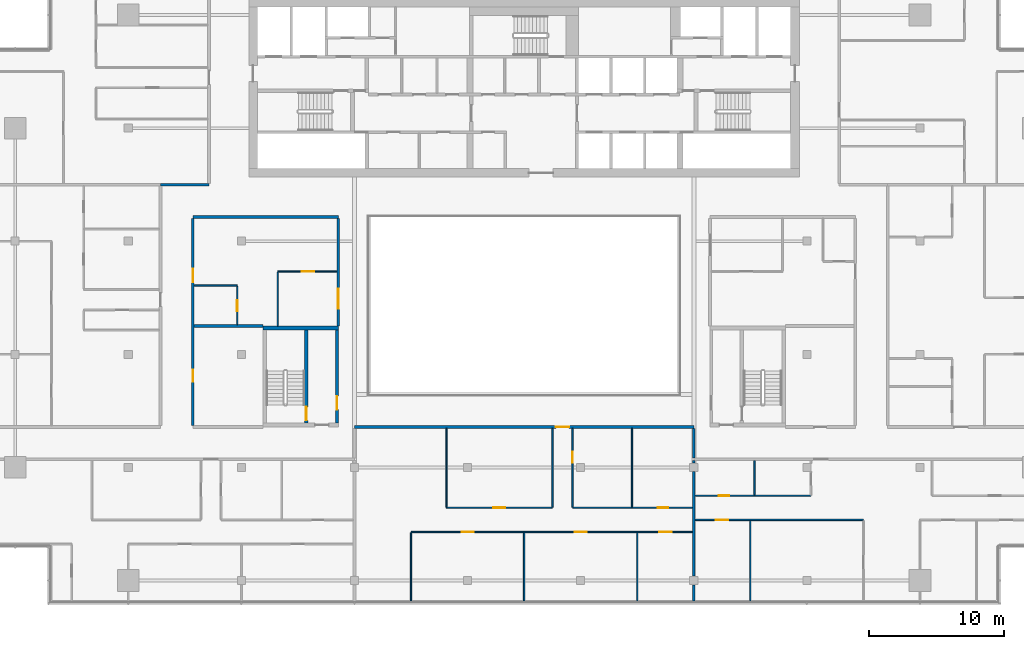
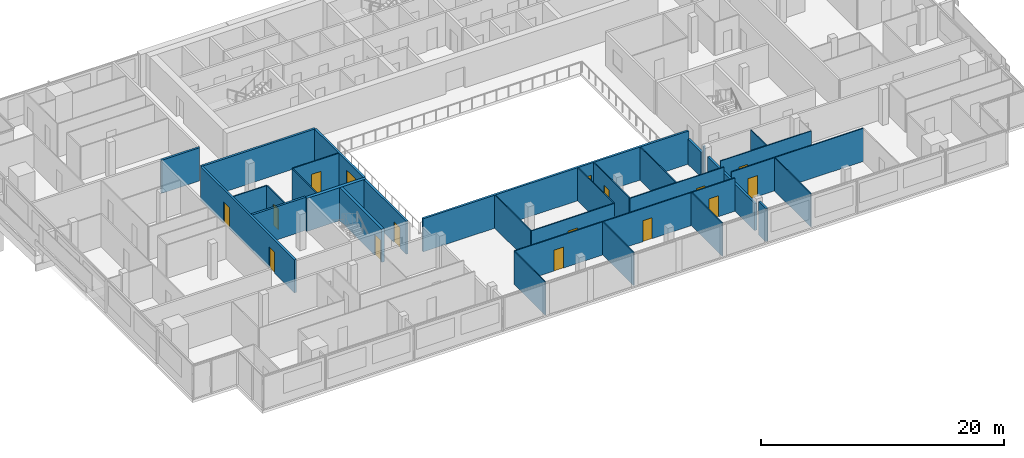
# One storey, part 17 of 28: 31 walls, 15 doors, 1 window, 16 openings.
"""IFC4 building model written with IfcOpenShell, lengths in metres."""

from ifc_helpers import new_model, si_unit, direction, frame, frame_2d, origin, place, context, subcontext, project, spatial, rectangle, extrude, material, layer, layer_set, type_object, element, fill, save


model = new_model("IFC4")

# Units and contexts
model_context = context("Model", 3, precision=1e-05, world=origin(), true_north=direction((0.0, 1.0)))
body_context = subcontext(model_context, "Body", "Model", "MODEL_VIEW")
ifc_project = project(units=[si_unit("LENGTHUNIT", "METRE"), si_unit("AREAUNIT", "SQUARE_METRE"), si_unit("VOLUMEUNIT", "CUBIC_METRE"), si_unit("PLANEANGLEUNIT", "RADIAN"), si_unit("MASSUNIT", "GRAM", prefix="KILO")], contexts=[model_context])

# Site, building, storey
site_placement = place(None, origin())
site = spatial("IfcSite", under=ifc_project, at=site_placement, CompositionType="ELEMENT")
building_placement = place(site_placement, origin())
building = spatial("IfcBuilding", under=site, at=building_placement, Name="Saffron Gate Tower", CompositionType="ELEMENT")
storey_placement = place(building_placement, frame((0.0, 0.0, 241.5)))
storey = spatial("IfcBuildingStorey", under=building, at=storey_placement, Name="L59", CompositionType="ELEMENT", Elevation=241.5)

# Wall, opening, door
ifc_material_1 = material(Name="Gypsum board partition on steel studs", Category="steel")
ifc_layer_1 = layer(ifc_material_1, 0.199951171875)
ifc_layer_set_1 = layer_set([ifc_layer_1], Name="CW10 Core partition 200")
wall_type_1 = type_object("IfcWallType", Name="CW10 Core partition 200", PredefinedType="PARTITIONING", material=ifc_layer_set_1)
wall_1_placement = place(storey_placement, frame((73.699951171875, 43.5, 0.0), z_axis=(0.0, 0.0, 1.0), x_axis=(0.0, 1.0, 0.0)))
wall_1 = element("IfcWall", 1, at=wall_1_placement, inside=storey, type_object=wall_type_1, Name="Wall CW10-L59-D-4", PredefinedType="PARTITIONING", context=body_context, shape_type="SweptSolid", body=[
    extrude(rectangle(XDim=6.89990234375, YDim=0.199951171875, at=frame_2d((3.449951171875, 0.0))), origin(), (0.0, 0.0, 1.0), 3.320068359375),
])
opening_1_placement = place(wall_1_placement, frame((1.0, 0.0, 0.0)))
opening_1 = element("IfcOpeningElement", 2, at=opening_1_placement, cuts=wall_1, Name="Opening CR-19", PredefinedType="OPENING", context=body_context, shape_type="SweptSolid", body=[
    extrude(rectangle(XDim=1.0, YDim=2.10009765625, at=frame_2d((0.5, 1.050048828125))), frame((0.0, 0.10986328125, 0.0), z_axis=(0.0, -1.0, 0.0), x_axis=(1.0, 0.0, 0.0)), (0.0, 0.0, 1.0), 0.219970703125),
])
ifc_material_2 = material(Name="Steel fire door set", Category="steel")
door_type_1 = type_object("IfcDoorType", Name="CD4 Lobby door 1000x2100 EI 120", OperationType="NOTDEFINED", PredefinedType="DOOR", material=ifc_material_2)
door_1_placement = place(opening_1_placement, origin())
door_1 = element("IfcDoor", 3, at=door_1_placement, inside=storey, type_object=door_type_1, Name="DOOR CR-19", OperationType="SINGLE_SWING_RIGHT", OverallHeight=2.10009765625, OverallWidth=1.0, PredefinedType="DOOR", context=body_context, shape_type="SweptSolid", body=[
    extrude(rectangle(XDim=1.0, YDim=2.10009765625, at=frame_2d((0.5, 1.050048828125))), frame((0.0, 0.02490234375, 0.0), z_axis=(0.0, -1.0, 0.0), x_axis=(1.0, 0.0, 0.0)), (0.0, 0.0, 1.0), 0.050048828125),
])
fill(opening_1, door_1)

ifc_material_3 = material(Name="Concrete C60", Category="concrete")
ifc_layer_2 = layer(ifc_material_3, 0.25)
ifc_layer_set_2 = layer_set([ifc_layer_2], Name="CW14 RC core wall 250 C60")
wall_type_2 = type_object("IfcWallType", Name="CW14 RC core wall 250 C60", PredefinedType="SOLIDWALL", material=ifc_layer_set_2)
wall_2_placement = place(storey_placement, frame((71.425048828125, 43.5, 0.0), z_axis=(0.0, 0.0, 1.0), x_axis=(0.0, 1.0, 0.0)))
wall_2 = element("IfcWall", 4, at=wall_2_placement, inside=storey, type_object=wall_type_2, Name="Wall CW14-L59-D-3", PredefinedType="SOLIDWALL", context=body_context, shape_type="SweptSolid", body=[
    extrude(rectangle(XDim=6.89990234375, YDim=0.25, at=frame_2d((3.449951171875, 0.0))), origin(), (0.0, 0.0, 1.0), 3.320068359375),
])
opening_2_placement = place(wall_2_placement, frame((0.199951171875, 0.0, 0.0)))
opening_2 = element("IfcOpeningElement", 5, at=opening_2_placement, cuts=wall_2, Name="Opening CR-20", PredefinedType="OPENING", context=body_context, shape_type="SweptSolid", body=[
    extrude(rectangle(XDim=1.0, YDim=2.10009765625, at=frame_2d((0.5, 1.050048828125))), frame((0.0, 0.135009765625, 0.0), z_axis=(0.0, -1.0, 0.0), x_axis=(1.0, 0.0, 0.0)), (0.0, 0.0, 1.0), 0.27001953125),
])
door_type_2 = type_object("IfcDoorType", Name="CD5 Stair door 1000x2100 EI 120", OperationType="NOTDEFINED", PredefinedType="DOOR", material=ifc_material_2)
door_2_placement = place(opening_2_placement, origin())
door_2 = element("IfcDoor", 6, at=door_2_placement, inside=storey, type_object=door_type_2, Name="DOOR CR-20", OperationType="SINGLE_SWING_LEFT", OverallHeight=2.10009765625, OverallWidth=1.0, PredefinedType="DOOR", context=body_context, shape_type="SweptSolid", body=[
    extrude(rectangle(XDim=1.0, YDim=2.10009765625, at=frame_2d((0.5, 1.050048828125))), frame((0.0, 0.02490234375, 0.0), z_axis=(0.0, -1.0, 0.0), x_axis=(1.0, 0.0, 0.0)), (0.0, 0.0, 1.0), 0.050048828125),
])
fill(opening_2, door_2)

# Wall
ifc_layer_3 = layer(ifc_material_3, 0.300048828125)
ifc_layer_set_3 = layer_set([ifc_layer_3], Name="CW17 RC core wall 300 C60")
wall_type_3 = type_object("IfcWallType", Name="CW17 RC core wall 300 C60", PredefinedType="SOLIDWALL", material=ifc_layer_set_3)
wall_3_placement = place(storey_placement, frame((68.199951171875, 50.550048828125, 0.0), z_axis=(0.0, 0.0, 1.0), x_axis=(1.0, 0.0, 0.0)))
element("IfcWall", 7, at=wall_3_placement, inside=storey, type_object=wall_type_3, Name="Wall CW17-L59-D-5", PredefinedType="SOLIDWALL", context=body_context, shape_type="SweptSolid", body=[
    extrude(rectangle(XDim=5.60009765625, YDim=0.300048828125, at=frame_2d((2.800048828125, 0.0))), origin(), (0.0, 0.0, 1.0), 3.320068359375),
])

# Wall, openings, doors
ifc_material_4 = material(Name="Plasterboard on steel studs", Category="steel")
ifc_layer_4 = layer(ifc_material_4, 0.10009765625)
ifc_layer_set_4 = layer_set([ifc_layer_4], Name="PW1 Partition 100")
wall_type_4 = type_object("IfcWallType", Name="PW1 Partition 100", PredefinedType="PARTITIONING", material=ifc_layer_set_4)
wall_4_placement = place(storey_placement, frame((100.10009765625, 35.39990234375, 0.0), z_axis=(0.0, 0.0, 1.0), x_axis=(-1.0, 0.0, 0.0)))
wall_4 = element("IfcWall", 8, at=wall_4_placement, inside=storey, type_object=wall_type_4, Name="Partition D4-3", PredefinedType="PARTITIONING", context=body_context, shape_type="SweptSolid", body=[
    extrude(rectangle(XDim=20.900146484375, YDim=0.10009765625, at=frame_2d((10.4501953125, 0.0))), origin(), (0.0, 0.0, 1.0), 3.320068359375),
])
opening_3_placement = place(wall_4_placement, frame((1.550048828125, 0.0, 0.0)))
opening_3 = element("IfcOpeningElement", 9, at=opening_3_placement, cuts=wall_4, Name="Opening D4-16", PredefinedType="OPENING", context=body_context, shape_type="SweptSolid", body=[
    extrude(rectangle(XDim=0.89990234375, YDim=2.10009765625, at=frame_2d((0.449951171875, 1.050048828125))), frame((0.0, 0.06005859375, 0.0), z_axis=(0.0, -1.0, 0.0), x_axis=(1.0, 0.0, 0.0)), (0.0, 0.0, 1.0), 0.1201171875),
])
opening_4_placement = place(wall_4_placement, frame((7.85009765625, 0.0, 0.0)))
opening_4 = element("IfcOpeningElement", 10, at=opening_4_placement, cuts=wall_4, Name="Opening D4-15", PredefinedType="OPENING", context=body_context, shape_type="SweptSolid", body=[
    extrude(rectangle(XDim=0.89990234375, YDim=2.10009765625, at=frame_2d((0.449951171875, 1.050048828125))), frame((0.0, 0.06005859375, 0.0), z_axis=(0.0, -1.0, 0.0), x_axis=(1.0, 0.0, 0.0)), (0.0, 0.0, 1.0), 0.1201171875),
])
opening_5_placement = place(wall_4_placement, frame((16.25, 0.0, 0.0)))
opening_5 = element("IfcOpeningElement", 11, at=opening_5_placement, cuts=wall_4, Name="Opening D4-14", PredefinedType="OPENING", context=body_context, shape_type="SweptSolid", body=[
    extrude(rectangle(XDim=0.89990234375, YDim=2.10009765625, at=frame_2d((0.449951171875, 1.050048828125))), frame((0.0, 0.06005859375, 0.0), z_axis=(0.0, -1.0, 0.0), x_axis=(1.0, 0.0, 0.0)), (0.0, 0.0, 1.0), 0.1201171875),
])
ifc_material_5 = material(Name="Timber door set", Category="wood")
door_type_3 = type_object("IfcDoorType", Name="RD1 Room door 900x2100", OperationType="NOTDEFINED", PredefinedType="DOOR", material=ifc_material_5)
door_3_placement = place(opening_3_placement, origin())
door_3 = element("IfcDoor", 12, at=door_3_placement, inside=storey, type_object=door_type_3, Name="Door D4-16", OperationType="SINGLE_SWING_LEFT", OverallHeight=2.10009765625, OverallWidth=0.89990234375, PredefinedType="DOOR", context=body_context, shape_type="SweptSolid", body=[
    extrude(rectangle(XDim=0.89990234375, YDim=2.10009765625, at=frame_2d((0.449951171875, 1.050048828125))), frame((0.0, 0.02490234375, 0.0), z_axis=(0.0, -1.0, 0.0), x_axis=(1.0, 0.0, 0.0)), (0.0, 0.0, 1.0), 0.050048828125),
])
fill(opening_3, door_3)
door_4_placement = place(opening_4_placement, origin())
door_4 = element("IfcDoor", 13, at=door_4_placement, inside=storey, type_object=door_type_3, Name="Door D4-15", OperationType="SINGLE_SWING_RIGHT", OverallHeight=2.10009765625, OverallWidth=0.89990234375, PredefinedType="DOOR", context=body_context, shape_type="SweptSolid", body=[
    extrude(rectangle(XDim=0.89990234375, YDim=2.10009765625, at=frame_2d((0.449951171875, 1.050048828125))), frame((0.0, 0.02490234375, 0.0), z_axis=(0.0, -1.0, 0.0), x_axis=(1.0, 0.0, 0.0)), (0.0, 0.0, 1.0), 0.050048828125),
])
fill(opening_4, door_4)
door_5_placement = place(opening_5_placement, origin())
door_5 = element("IfcDoor", 14, at=door_5_placement, inside=storey, type_object=door_type_3, Name="Door D4-14", OperationType="SINGLE_SWING_LEFT", OverallHeight=2.10009765625, OverallWidth=0.89990234375, PredefinedType="DOOR", context=body_context, shape_type="SweptSolid", body=[
    extrude(rectangle(XDim=0.89990234375, YDim=2.10009765625, at=frame_2d((0.449951171875, 1.050048828125))), frame((0.0, 0.02490234375, 0.0), z_axis=(0.0, -1.0, 0.0), x_axis=(1.0, 0.0, 0.0)), (0.0, 0.0, 1.0), 0.050048828125),
])
fill(opening_5, door_5)

# Wall, opening, door
wall_5_placement = place(storey_placement, frame((112.800048828125, 36.300048828125, 0.0), z_axis=(0.0, 0.0, 1.0), x_axis=(-1.0, 0.0, 0.0)))
wall_5 = element("IfcWall", 15, at=wall_5_placement, inside=storey, type_object=wall_type_4, Name="Partition D4-6", PredefinedType="PARTITIONING", context=body_context, shape_type="SweptSolid", body=[
    extrude(rectangle(XDim=12.5, YDim=0.10009765625, at=frame_2d((6.25, 0.0))), origin(), (0.0, 0.0, 1.0), 3.320068359375),
])
opening_6_placement = place(wall_5_placement, frame((10.050048828125, 0.0, 0.0)))
opening_6 = element("IfcOpeningElement", 16, at=opening_6_placement, cuts=wall_5, Name="Opening D4-18", PredefinedType="OPENING", context=body_context, shape_type="SweptSolid", body=[
    extrude(rectangle(XDim=0.89990234375, YDim=2.10009765625, at=frame_2d((0.449951171875, 1.050048828125))), frame((0.0, 0.06005859375, 0.0), z_axis=(0.0, -1.0, 0.0), x_axis=(1.0, 0.0, 0.0)), (0.0, 0.0, 1.0), 0.1201171875),
])
door_6_placement = place(opening_6_placement, origin())
door_6 = element("IfcDoor", 17, at=door_6_placement, inside=storey, type_object=door_type_3, Name="Door D4-18", OperationType="SINGLE_SWING_RIGHT", OverallHeight=2.10009765625, OverallWidth=0.89990234375, PredefinedType="DOOR", context=body_context, shape_type="SweptSolid", body=[
    extrude(rectangle(XDim=0.89990234375, YDim=2.10009765625, at=frame_2d((0.449951171875, 1.050048828125))), frame((0.0, 0.02490234375, 0.0), z_axis=(0.0, -1.0, 0.0), x_axis=(1.0, 0.0, 0.0)), (0.0, 0.0, 1.0), 0.050048828125),
])
fill(opening_6, door_6)

wall_6_placement = place(storey_placement, frame((81.833251953125, 37.199951171875, 0.0), z_axis=(0.0, 0.0, 1.0), x_axis=(1.0, 0.0, 0.0)))
wall_6 = element("IfcWall", 18, at=wall_6_placement, inside=storey, type_object=wall_type_4, Name="Partition D4-8", PredefinedType="PARTITIONING", context=body_context, shape_type="SweptSolid", body=[
    extrude(rectangle(XDim=7.86669921875, YDim=0.10009765625, at=frame_2d((3.933349609375, 0.0))), origin(), (0.0, 0.0, 1.0), 3.320068359375),
])
opening_7_placement = place(wall_6_placement, frame((3.4833984375, 0.0, 0.0)))
opening_7 = element("IfcOpeningElement", 19, at=opening_7_placement, cuts=wall_6, Name="Opening D4-17", PredefinedType="OPENING", context=body_context, shape_type="SweptSolid", body=[
    extrude(rectangle(XDim=0.89990234375, YDim=2.10009765625, at=frame_2d((0.449951171875, 1.050048828125))), frame((0.0, 0.06005859375, 0.0), z_axis=(0.0, -1.0, 0.0), x_axis=(1.0, 0.0, 0.0)), (0.0, 0.0, 1.0), 0.1201171875),
])
door_7_placement = place(opening_7_placement, origin())
door_7 = element("IfcDoor", 20, at=door_7_placement, inside=storey, type_object=door_type_3, Name="Door D4-17", OperationType="SINGLE_SWING_LEFT", OverallHeight=2.10009765625, OverallWidth=0.89990234375, PredefinedType="DOOR", context=body_context, shape_type="SweptSolid", body=[
    extrude(rectangle(XDim=0.89990234375, YDim=2.10009765625, at=frame_2d((0.449951171875, 1.050048828125))), frame((0.0, 0.02490234375, 0.0), z_axis=(0.0, -1.0, 0.0), x_axis=(1.0, 0.0, 0.0)), (0.0, 0.0, 1.0), 0.050048828125),
])
fill(opening_7, door_7)

wall_7_placement = place(storey_placement, frame((91.199951171875, 37.199951171875, 0.0), z_axis=(0.0, 0.0, 1.0), x_axis=(1.0, 0.0, 0.0)))
wall_7 = element("IfcWall", 21, at=wall_7_placement, inside=storey, type_object=wall_type_4, Name="Partition D4-9", PredefinedType="PARTITIONING", context=body_context, shape_type="SweptSolid", body=[
    extrude(rectangle(XDim=8.900146484375, YDim=0.10009765625, at=frame_2d((4.4501953125, 0.0))), origin(), (0.0, 0.0, 1.0), 3.320068359375),
])
opening_8_placement = place(wall_7_placement, frame((6.308349609375, 0.0, 0.0)))
opening_8 = element("IfcOpeningElement", 22, at=opening_8_placement, cuts=wall_7, Name="Opening D4-40", PredefinedType="OPENING", context=body_context, shape_type="SweptSolid", body=[
    extrude(rectangle(XDim=0.800048828125, YDim=2.10009765625, at=frame_2d((0.39990234375, 1.050048828125))), frame((0.0, 0.06005859375, 0.0), z_axis=(0.0, -1.0, 0.0), x_axis=(1.0, 0.0, 0.0)), (0.0, 0.0, 1.0), 0.1201171875),
])
door_type_4 = type_object("IfcDoorType", Name="RD2 Bathroom door 800x2100", OperationType="NOTDEFINED", PredefinedType="DOOR", material=ifc_material_5)
door_8_placement = place(opening_8_placement, origin())
door_8 = element("IfcDoor", 23, at=door_8_placement, inside=storey, type_object=door_type_4, Name="Door D4-40", OperationType="SINGLE_SWING_RIGHT", OverallHeight=2.10009765625, OverallWidth=0.800048828125, PredefinedType="DOOR", context=body_context, shape_type="SweptSolid", body=[
    extrude(rectangle(XDim=0.800048828125, YDim=2.10009765625, at=frame_2d((0.39990234375, 1.050048828125))), frame((0.0, 0.02490234375, 0.0), z_axis=(0.0, -1.0, 0.0), x_axis=(1.0, 0.0, 0.0)), (0.0, 0.0, 1.0), 0.050048828125),
])
fill(opening_8, door_8)

wall_8_placement = place(storey_placement, frame((100.300048828125, 38.10009765625, 0.0), z_axis=(0.0, 0.0, 1.0), x_axis=(1.0, 0.0, 0.0)))
wall_8 = element("IfcWall", 24, at=wall_8_placement, inside=storey, type_object=wall_type_4, Name="Partition D4-10", PredefinedType="PARTITIONING", context=body_context, shape_type="SweptSolid", body=[
    extrude(rectangle(XDim=8.599853515625, YDim=0.10009765625, at=frame_2d((4.2998046875, 0.0))), origin(), (0.0, 0.0, 1.0), 3.320068359375),
])
opening_9_placement = place(wall_8_placement, frame((1.75, 0.0, 0.0)))
opening_9 = element("IfcOpeningElement", 25, at=opening_9_placement, cuts=wall_8, Name="Opening D4-41", PredefinedType="OPENING", context=body_context, shape_type="SweptSolid", body=[
    extrude(rectangle(XDim=0.800048828125, YDim=2.10009765625, at=frame_2d((0.39990234375, 1.050048828125))), frame((0.0, 0.06005859375, 0.0), z_axis=(0.0, -1.0, 0.0), x_axis=(1.0, 0.0, 0.0)), (0.0, 0.0, 1.0), 0.1201171875),
])
door_9_placement = place(opening_9_placement, origin())
door_9 = element("IfcDoor", 26, at=door_9_placement, inside=storey, type_object=door_type_4, Name="Door D4-41", OperationType="SINGLE_SWING_LEFT", OverallHeight=2.10009765625, OverallWidth=0.800048828125, PredefinedType="DOOR", context=body_context, shape_type="SweptSolid", body=[
    extrude(rectangle(XDim=0.800048828125, YDim=2.10009765625, at=frame_2d((0.39990234375, 1.050048828125))), frame((0.0, 0.02490234375, 0.0), z_axis=(0.0, -1.0, 0.0), x_axis=(1.0, 0.0, 0.0)), (0.0, 0.0, 1.0), 0.050048828125),
])
fill(opening_9, door_9)

# Wall
wall_9_placement = place(storey_placement, frame((63.10009765625, 53.699951171875, 0.0), z_axis=(0.0, 0.0, 1.0), x_axis=(1.0, 0.0, 0.0)))
element("IfcWall", 27, at=wall_9_placement, inside=storey, type_object=wall_type_4, Name="Partition D4-34", PredefinedType="PARTITIONING", context=body_context, shape_type="SweptSolid", body=[
    extrude(rectangle(XDim=3.199951171875, YDim=0.10009765625, at=frame_2d((1.60009765625, 0.0))), origin(), (0.0, 0.0, 1.0), 3.320068359375),
])

# Wall, opening, door
wall_10_placement = place(storey_placement, frame((73.699951171875, 54.75, 0.0), z_axis=(0.0, 0.0, 1.0), x_axis=(-1.0, 0.0, 0.0)))
wall_10 = element("IfcWall", 28, at=wall_10_placement, inside=storey, type_object=wall_type_4, Name="Partition D4-35", PredefinedType="PARTITIONING", context=body_context, shape_type="SweptSolid", body=[
    extrude(rectangle(XDim=4.39990234375, YDim=0.10009765625, at=frame_2d((2.199951171875, 0.0))), origin(), (0.0, 0.0, 1.0), 3.320068359375),
])
opening_10_placement = place(wall_10_placement, frame((1.699951171875, 0.0, 0.0)))
opening_10 = element("IfcOpeningElement", 29, at=opening_10_placement, cuts=wall_10, Name="Opening D4-35", PredefinedType="OPENING", context=body_context, shape_type="SweptSolid", body=[
    extrude(rectangle(XDim=0.89990234375, YDim=2.10009765625, at=frame_2d((0.449951171875, 1.050048828125))), frame((0.0, 0.06005859375, 0.0), z_axis=(0.0, -1.0, 0.0), x_axis=(1.0, 0.0, 0.0)), (0.0, 0.0, 1.0), 0.1201171875),
])
door_10_placement = place(opening_10_placement, origin())
door_10 = element("IfcDoor", 30, at=door_10_placement, inside=storey, type_object=door_type_3, Name="Door D4-35", OperationType="SINGLE_SWING_LEFT", OverallHeight=2.10009765625, OverallWidth=0.89990234375, PredefinedType="DOOR", context=body_context, shape_type="SweptSolid", body=[
    extrude(rectangle(XDim=0.89990234375, YDim=2.10009765625, at=frame_2d((0.449951171875, 1.050048828125))), frame((0.0, 0.02490234375, 0.0), z_axis=(0.0, -1.0, 0.0), x_axis=(1.0, 0.0, 0.0)), (0.0, 0.0, 1.0), 0.050048828125),
])
fill(opening_10, door_10)

wall_11_placement = place(storey_placement, frame((66.300048828125, 50.800048828125, 0.0), z_axis=(0.0, 0.0, 1.0), x_axis=(0.0, 1.0, 0.0)))
wall_11 = element("IfcWall", 31, at=wall_11_placement, inside=storey, type_object=wall_type_4, Name="Partition D4-74", PredefinedType="PARTITIONING", context=body_context, shape_type="SweptSolid", body=[
    extrude(rectangle(XDim=2.849853515625, YDim=0.10009765625, at=frame_2d((1.4248046875, 0.0))), origin(), (0.0, 0.0, 1.0), 3.320068359375),
])
opening_11_placement = place(wall_11_placement, frame((1.0, 0.0, 0.0)))
opening_11 = element("IfcOpeningElement", 32, at=opening_11_placement, cuts=wall_11, Name="Opening D4-49", PredefinedType="OPENING", context=body_context, shape_type="SweptSolid", body=[
    extrude(rectangle(XDim=0.800048828125, YDim=2.10009765625, at=frame_2d((0.39990234375, 1.050048828125))), frame((0.0, 0.06005859375, 0.0), z_axis=(0.0, -1.0, 0.0), x_axis=(1.0, 0.0, 0.0)), (0.0, 0.0, 1.0), 0.1201171875),
])
door_11_placement = place(opening_11_placement, origin())
door_11 = element("IfcDoor", 33, at=door_11_placement, inside=storey, type_object=door_type_4, Name="Door D4-49", OperationType="SINGLE_SWING_LEFT", OverallHeight=2.10009765625, OverallWidth=0.800048828125, PredefinedType="DOOR", context=body_context, shape_type="SweptSolid", body=[
    extrude(rectangle(XDim=0.800048828125, YDim=2.10009765625, at=frame_2d((0.39990234375, 1.050048828125))), frame((0.0, 0.02490234375, 0.0), z_axis=(0.0, -1.0, 0.0), x_axis=(1.0, 0.0, 0.0)), (0.0, 0.0, 1.0), 0.050048828125),
])
fill(opening_11, door_11)

# Walls
wall_12_placement = place(storey_placement, frame((69.300048828125, 54.699951171875, 0.0), z_axis=(0.0, 0.0, 1.0), x_axis=(0.0, -1.0, 0.0)))
element("IfcWall", 34, at=wall_12_placement, inside=storey, type_object=wall_type_4, Name="Partition D4-77", PredefinedType="PARTITIONING", context=body_context, shape_type="SweptSolid", body=[
    extrude(rectangle(XDim=4.0, YDim=0.10009765625, at=frame_2d((2.0, 0.0))), origin(), (0.0, 0.0, 1.0), 3.320068359375),
])
wall_13_placement = place(storey_placement, frame((79.199951171875, 35.35009765625, 0.0), z_axis=(0.0, 0.0, 1.0), x_axis=(0.0, -1.0, 0.0)))
element("IfcWall", 35, at=wall_13_placement, inside=storey, type_object=wall_type_4, Name="Partition D4-84", PredefinedType="PARTITIONING", context=body_context, shape_type="SweptSolid", body=[
    extrude(rectangle(XDim=5.070068359375, YDim=0.10009765625, at=frame_2d((2.53515625, 0.0))), origin(), (0.0, 0.0, 1.0), 3.320068359375),
])
wall_14_placement = place(storey_placement, frame((81.833251953125, 43.10009765625, 0.0), z_axis=(0.0, 0.0, 1.0), x_axis=(0.0, -1.0, 0.0)))
element("IfcWall", 36, at=wall_14_placement, inside=storey, type_object=wall_type_4, Name="Partition D4-85", PredefinedType="PARTITIONING", context=body_context, shape_type="SweptSolid", body=[
    extrude(rectangle(XDim=5.85009765625, YDim=0.10009765625, at=frame_2d((2.925048828125, 0.0))), origin(), (0.0, 0.0, 1.0), 3.320068359375),
])
wall_15_placement = place(storey_placement, frame((87.60009765625, 35.35009765625, 0.0), z_axis=(0.0, 0.0, 1.0), x_axis=(0.0, -1.0, 0.0)))
element("IfcWall", 37, at=wall_15_placement, inside=storey, type_object=wall_type_4, Name="Partition D4-86", PredefinedType="PARTITIONING", context=body_context, shape_type="SweptSolid", body=[
    extrude(rectangle(XDim=5.070068359375, YDim=0.10009765625, at=frame_2d((2.53515625, 0.0))), origin(), (0.0, 0.0, 1.0), 3.320068359375),
])
wall_16_placement = place(storey_placement, frame((89.699951171875, 43.10009765625, 0.0), z_axis=(0.0, 0.0, 1.0), x_axis=(0.0, -1.0, 0.0)))
element("IfcWall", 38, at=wall_16_placement, inside=storey, type_object=wall_type_4, Name="Partition D4-87", PredefinedType="PARTITIONING", context=body_context, shape_type="SweptSolid", body=[
    extrude(rectangle(XDim=5.85009765625, YDim=0.10009765625, at=frame_2d((2.925048828125, 0.0))), origin(), (0.0, 0.0, 1.0), 3.320068359375),
])

# Wall, opening, door
wall_17_placement = place(storey_placement, frame((91.199951171875, 43.10009765625, 0.0), z_axis=(0.0, 0.0, 1.0), x_axis=(0.0, -1.0, 0.0)))
wall_17 = element("IfcWall", 39, at=wall_17_placement, inside=storey, type_object=wall_type_4, Name="Partition D4-88", PredefinedType="PARTITIONING", context=body_context, shape_type="SweptSolid", body=[
    extrude(rectangle(XDim=5.85009765625, YDim=0.10009765625, at=frame_2d((2.925048828125, 0.0))), origin(), (0.0, 0.0, 1.0), 3.320068359375),
])
opening_12_placement = place(wall_17_placement, frame((1.75, 0.0, 0.0)))
opening_12 = element("IfcOpeningElement", 40, at=opening_12_placement, cuts=wall_17, Name="Opening D4-39", PredefinedType="OPENING", context=body_context, shape_type="SweptSolid", body=[
    extrude(rectangle(XDim=0.800048828125, YDim=2.10009765625, at=frame_2d((0.39990234375, 1.050048828125))), frame((0.0, 0.06005859375, 0.0), z_axis=(0.0, -1.0, 0.0), x_axis=(1.0, 0.0, 0.0)), (0.0, 0.0, 1.0), 0.1201171875),
])
door_12_placement = place(opening_12_placement, origin())
door_12 = element("IfcDoor", 41, at=door_12_placement, inside=storey, type_object=door_type_4, Name="Door D4-39", OperationType="SINGLE_SWING_LEFT", OverallHeight=2.10009765625, OverallWidth=0.800048828125, PredefinedType="DOOR", context=body_context, shape_type="SweptSolid", body=[
    extrude(rectangle(XDim=0.800048828125, YDim=2.10009765625, at=frame_2d((0.39990234375, 1.050048828125))), frame((0.0, 0.02490234375, 0.0), z_axis=(0.0, -1.0, 0.0), x_axis=(1.0, 0.0, 0.0)), (0.0, 0.0, 1.0), 0.050048828125),
])
fill(opening_12, door_12)

# Walls
wall_18_placement = place(storey_placement, frame((95.61669921875, 43.10009765625, 0.0), z_axis=(0.0, 0.0, 1.0), x_axis=(0.0, -1.0, 0.0)))
element("IfcWall", 42, at=wall_18_placement, inside=storey, type_object=wall_type_4, Name="Partition D4-89", PredefinedType="PARTITIONING", context=body_context, shape_type="SweptSolid", body=[
    extrude(rectangle(XDim=5.85009765625, YDim=0.10009765625, at=frame_2d((2.925048828125, 0.0))), origin(), (0.0, 0.0, 1.0), 3.320068359375),
])
wall_19_placement = place(storey_placement, frame((96.0, 35.35009765625, 0.0), z_axis=(0.0, 0.0, 1.0), x_axis=(0.0, -1.0, 0.0)))
element("IfcWall", 43, at=wall_19_placement, inside=storey, type_object=wall_type_4, Name="Partition D4-90", PredefinedType="PARTITIONING", context=body_context, shape_type="SweptSolid", body=[
    extrude(rectangle(XDim=5.070068359375, YDim=0.10009765625, at=frame_2d((2.53515625, 0.0))), origin(), (0.0, 0.0, 1.0), 3.320068359375),
])
wall_20_placement = place(storey_placement, frame((104.39990234375, 36.25, 0.0), z_axis=(0.0, 0.0, 1.0), x_axis=(0.0, -1.0, 0.0)))
element("IfcWall", 44, at=wall_20_placement, inside=storey, type_object=wall_type_4, Name="Partition D4-96", PredefinedType="PARTITIONING", context=body_context, shape_type="SweptSolid", body=[
    extrude(rectangle(XDim=5.969970703125, YDim=0.10009765625, at=frame_2d((2.98486328125, 0.0))), origin(), (0.0, 0.0, 1.0), 3.320068359375),
])
wall_21_placement = place(storey_placement, frame((104.699951171875, 40.699951171875, 0.0), z_axis=(0.0, 0.0, 1.0), x_axis=(0.0, -1.0, 0.0)))
element("IfcWall", 45, at=wall_21_placement, inside=storey, type_object=wall_type_4, Name="Partition D4-97", PredefinedType="PARTITIONING", context=body_context, shape_type="SweptSolid", body=[
    extrude(rectangle(XDim=2.550048828125, YDim=0.10009765625, at=frame_2d((1.27490234375, 0.0))), origin(), (0.0, 0.0, 1.0), 3.320068359375),
])
ifc_material_6 = material(Name="Clay brick masonry, rendered", Category="masonry")
ifc_layer_5 = layer(ifc_material_6, 0.199951171875)
ifc_layer_set_5 = layer_set([ifc_layer_5], Name="PW2 Demising wall 200")
wall_type_5 = type_object("IfcWallType", Name="PW2 Demising wall 200", PredefinedType="PARTITIONING", material=ifc_layer_set_5)
wall_22_placement = place(storey_placement, frame((63.10009765625, 50.699951171875, 0.0), z_axis=(0.0, 0.0, 1.0), x_axis=(1.0, 0.0, 0.0)))
element("IfcWall", 46, at=wall_22_placement, inside=storey, type_object=wall_type_5, Name="Wall D4-29", PredefinedType="PARTITIONING", context=body_context, shape_type="SweptSolid", body=[
    extrude(rectangle(XDim=5.099853515625, YDim=0.199951171875, at=frame_2d((2.5498046875, 0.0))), origin(), (0.0, 0.0, 1.0), 3.320068359375),
])
wall_23_placement = place(storey_placement, frame((100.199951171875, 31.47998046875, 0.0), z_axis=(0.0, 0.0, 1.0), x_axis=(0.0, -1.0, 0.0)))
element("IfcWall", 47, at=wall_23_placement, inside=storey, type_object=wall_type_5, Name="Wall D4-92", PredefinedType="PARTITIONING", context=body_context, shape_type="SweptSolid", body=[
    extrude(rectangle(XDim=1.199951171875, YDim=0.199951171875, at=frame_2d((0.60009765625, 0.0))), origin(), (0.0, 0.0, 1.0), 3.320068359375),
])
wall_24_placement = place(storey_placement, frame((100.199951171875, 39.8798828125, 0.0), z_axis=(0.0, 0.0, 1.0), x_axis=(0.0, -1.0, 0.0)))
element("IfcWall", 48, at=wall_24_placement, inside=storey, type_object=wall_type_5, Name="Wall D4-93", PredefinedType="PARTITIONING", context=body_context, shape_type="SweptSolid", body=[
    extrude(rectangle(XDim=7.759765625, YDim=0.199951171875, at=frame_2d((3.8798828125, 0.0))), origin(), (0.0, 0.0, 1.0), 2.719970703125),
])
wall_25_placement = place(storey_placement, frame((100.199951171875, 40.699951171875, 0.0), z_axis=(0.0, 0.0, 1.0), x_axis=(0.0, -1.0, 0.0)))
element("IfcWall", 49, at=wall_25_placement, inside=storey, type_object=wall_type_5, Name="Wall D4-94", PredefinedType="PARTITIONING", context=body_context, shape_type="SweptSolid", body=[
    extrude(rectangle(XDim=0.179931640625, YDim=0.199951171875, at=frame_2d((0.08984375, 0.0))), origin(), (0.0, 0.0, 1.0), 3.320068359375),
])

# Wall, opening, door
ifc_layer_6 = layer(ifc_material_6, 0.199951171875)
ifc_layer_set_6 = layer_set([ifc_layer_6], Name="PW3 Corridor wall 200")
wall_type_6 = type_object("IfcWallType", Name="PW3 Corridor wall 200", PredefinedType="PARTITIONING", material=ifc_layer_set_6)
wall_26_placement = place(storey_placement, frame((100.199951171875, 43.199951171875, 0.0), z_axis=(0.0, 0.0, 1.0), x_axis=(-1.0, 0.0, 0.0)))
wall_26 = element("IfcWall", 50, at=wall_26_placement, inside=storey, type_object=wall_type_6, Name="Wall D4-18", PredefinedType="PARTITIONING", context=body_context, shape_type="SweptSolid", body=[
    extrude(rectangle(XDim=25.199951171875, YDim=0.199951171875, at=frame_2d((12.60009765625, 0.0))), origin(), (0.0, 0.0, 1.0), 3.320068359375),
])
opening_13_placement = place(wall_26_placement, frame((9.25, 0.0, 0.0)))
opening_13 = element("IfcOpeningElement", 51, at=opening_13_placement, cuts=wall_26, Name="Opening D4-2", PredefinedType="OPENING", context=body_context, shape_type="SweptSolid", body=[
    extrude(rectangle(XDim=1.0, YDim=2.10009765625, at=frame_2d((0.5, 1.050048828125))), frame((0.0, 0.10986328125, 0.0), z_axis=(0.0, -1.0, 0.0), x_axis=(1.0, 0.0, 0.0)), (0.0, 0.0, 1.0), 0.219970703125),
])
ifc_material_7 = material(Name="Timber fire door set", Category="wood")
door_type_5 = type_object("IfcDoorType", Name="FD1 Flat entry door 1000x2100", OperationType="NOTDEFINED", PredefinedType="DOOR", material=ifc_material_7)
door_13_placement = place(opening_13_placement, origin())
door_13 = element("IfcDoor", 52, at=door_13_placement, inside=storey, type_object=door_type_5, Name="Door D4-2", OperationType="SINGLE_SWING_RIGHT", OverallHeight=2.10009765625, OverallWidth=1.0, PredefinedType="DOOR", context=body_context, shape_type="SweptSolid", body=[
    extrude(rectangle(XDim=1.0, YDim=2.10009765625, at=frame_2d((0.5, 1.050048828125))), frame((0.0, 0.02490234375, 0.0), z_axis=(0.0, -1.0, 0.0), x_axis=(1.0, 0.0, 0.0)), (0.0, 0.0, 1.0), 0.050048828125),
])
fill(opening_13, door_13)

# Walls
wall_27_placement = place(storey_placement, frame((63.0, 58.800048828125, 0.0), z_axis=(0.0, 0.0, 1.0), x_axis=(1.0, 0.0, 0.0)))
element("IfcWall", 53, at=wall_27_placement, inside=storey, type_object=wall_type_6, Name="Wall D4-43", PredefinedType="PARTITIONING", context=body_context, shape_type="SweptSolid", body=[
    extrude(rectangle(XDim=10.800048828125, YDim=0.199951171875, at=frame_2d((5.39990234375, 0.0))), origin(), (0.0, 0.0, 1.0), 3.320068359375),
])
wall_28_placement = place(storey_placement, frame((60.60009765625, 61.199951171875, 0.0), z_axis=(0.0, 0.0, 1.0), x_axis=(1.0, 0.0, 0.0)))
element("IfcWall", 54, at=wall_28_placement, inside=storey, type_object=wall_type_6, Name="Wall D4-45", PredefinedType="PARTITIONING", context=body_context, shape_type="SweptSolid", body=[
    extrude(rectangle(XDim=3.599853515625, YDim=0.199951171875, at=frame_2d((1.7998046875, 0.0))), origin(), (0.0, 0.0, 1.0), 3.320068359375),
])

# Wall, openings, doors
wall_29_placement = place(storey_placement, frame((63.0, 58.699951171875, 0.0), z_axis=(0.0, 0.0, 1.0), x_axis=(0.0, -1.0, 0.0)))
wall_29 = element("IfcWall", 55, at=wall_29_placement, inside=storey, type_object=wall_type_6, Name="Wall D4-70", PredefinedType="PARTITIONING", context=body_context, shape_type="SweptSolid", body=[
    extrude(rectangle(XDim=15.39990234375, YDim=0.199951171875, at=frame_2d((7.699951171875, 0.0))), origin(), (0.0, 0.0, 1.0), 3.320068359375),
])
opening_14_placement = place(wall_29_placement, frame((3.75, 0.0, 0.0)))
opening_14 = element("IfcOpeningElement", 56, at=opening_14_placement, cuts=wall_29, Name="Opening D4-8", PredefinedType="OPENING", context=body_context, shape_type="SweptSolid", body=[
    extrude(rectangle(XDim=1.0, YDim=2.10009765625, at=frame_2d((0.5, 1.050048828125))), frame((0.0, 0.10986328125, 0.0), z_axis=(0.0, -1.0, 0.0), x_axis=(1.0, 0.0, 0.0)), (0.0, 0.0, 1.0), 0.219970703125),
])
opening_15_placement = place(wall_29_placement, frame((11.25, 0.0, 0.0)))
opening_15 = element("IfcOpeningElement", 57, at=opening_15_placement, cuts=wall_29, Name="Opening D4-52", PredefinedType="OPENING", context=body_context, shape_type="SweptSolid", body=[
    extrude(rectangle(XDim=0.89990234375, YDim=2.10009765625, at=frame_2d((0.449951171875, 1.050048828125))), frame((0.0, 0.10986328125, 0.0), z_axis=(0.0, -1.0, 0.0), x_axis=(1.0, 0.0, 0.0)), (0.0, 0.0, 1.0), 0.219970703125),
])
door_14_placement = place(opening_14_placement, origin())
door_14 = element("IfcDoor", 58, at=door_14_placement, inside=storey, type_object=door_type_5, Name="Door D4-8", OperationType="SINGLE_SWING_LEFT", OverallHeight=2.10009765625, OverallWidth=1.0, PredefinedType="DOOR", context=body_context, shape_type="SweptSolid", body=[
    extrude(rectangle(XDim=1.0, YDim=2.10009765625, at=frame_2d((0.5, 1.050048828125))), frame((0.0, 0.02490234375, 0.0), z_axis=(0.0, -1.0, 0.0), x_axis=(1.0, 0.0, 0.0)), (0.0, 0.0, 1.0), 0.050048828125),
])
fill(opening_14, door_14)
door_type_6 = type_object("IfcDoorType", Name="SD1 Service door 900x2100", OperationType="NOTDEFINED", PredefinedType="DOOR", material=ifc_material_2)
door_15_placement = place(opening_15_placement, origin())
door_15 = element("IfcDoor", 59, at=door_15_placement, inside=storey, type_object=door_type_6, Name="Door D4-52", OperationType="SINGLE_SWING_RIGHT", OverallHeight=2.10009765625, OverallWidth=0.89990234375, PredefinedType="DOOR", context=body_context, shape_type="SweptSolid", body=[
    extrude(rectangle(XDim=0.89990234375, YDim=2.10009765625, at=frame_2d((0.449951171875, 1.050048828125))), frame((0.0, 0.02490234375, 0.0), z_axis=(0.0, -1.0, 0.0), x_axis=(1.0, 0.0, 0.0)), (0.0, 0.0, 1.0), 0.050048828125),
])
fill(opening_15, door_15)

# Wall, opening, window
wall_30_placement = place(storey_placement, frame((73.800048828125, 58.699951171875, 0.0), z_axis=(0.0, 0.0, 1.0), x_axis=(0.0, -1.0, 0.0)))
wall_30 = element("IfcWall", 60, at=wall_30_placement, inside=storey, type_object=wall_type_6, Name="Wall D4-79", PredefinedType="PARTITIONING", context=body_context, shape_type="SweptSolid", body=[
    extrude(rectangle(XDim=8.0, YDim=0.199951171875, at=frame_2d((4.0, 0.0))), origin(), (0.0, 0.0, 1.0), 3.320068359375),
])
opening_16_placement = place(wall_30_placement, frame((5.22509765625, 0.0, 0.89990234375)))
opening_16 = element("IfcOpeningElement", 61, at=opening_16_placement, cuts=wall_30, Name="Opening GW1", PredefinedType="OPENING", context=body_context, shape_type="SweptSolid", body=[
    extrude(rectangle(XDim=1.5, YDim=1.5, at=frame_2d((0.75, 0.75))), frame((0.0, 0.10986328125, 0.0), z_axis=(0.0, -1.0, 0.0), x_axis=(1.0, 0.0, 0.0)), (0.0, 0.0, 1.0), 0.219970703125),
])
ifc_material_8 = material(Name="Fire-resisting laminated glass in steel frame", Category="steel")
ifc_layer_7 = layer(ifc_material_8, 0.06005859375)
ifc_layer_set_7 = layer_set([ifc_layer_7], Name="GW1 Gallery window 1500x1500")
window_type = type_object("IfcWindowType", Name="GW1 Gallery window 1500x1500", PartitioningType="SINGLE_PANEL", PredefinedType="WINDOW", material=ifc_layer_set_7)
window_placement = place(opening_16_placement, origin())
window = element("IfcWindow", 62, at=window_placement, inside=storey, type_object=window_type, Name="GW1 window D4-H-B1", OverallHeight=1.5, OverallWidth=1.5, PartitioningType="SINGLE_PANEL", PredefinedType="WINDOW", context=body_context, shape_type="SweptSolid", body=[
    extrude(rectangle(XDim=1.5, YDim=1.5, at=frame_2d((0.75, 0.75))), frame((0.0, 0.030029296875, 0.0), z_axis=(0.0, -1.0, 0.0), x_axis=(1.0, 0.0, 0.0)), (0.0, 0.0, 1.0), 0.06005859375),
])
fill(opening_16, window)

# Wall
wall_31_placement = place(storey_placement, frame((100.199951171875, 43.10009765625, 0.0), z_axis=(0.0, 0.0, 1.0), x_axis=(0.0, -1.0, 0.0)))
element("IfcWall", 63, at=wall_31_placement, inside=storey, type_object=wall_type_6, Name="Wall D4-91", PredefinedType="PARTITIONING", context=body_context, shape_type="SweptSolid", body=[
    extrude(rectangle(XDim=2.2001953125, YDim=0.199951171875, at=frame_2d((1.10009765625, 0.0))), origin(), (0.0, 0.0, 1.0), 2.530029296875),
])

save(model, "model.ifc")
